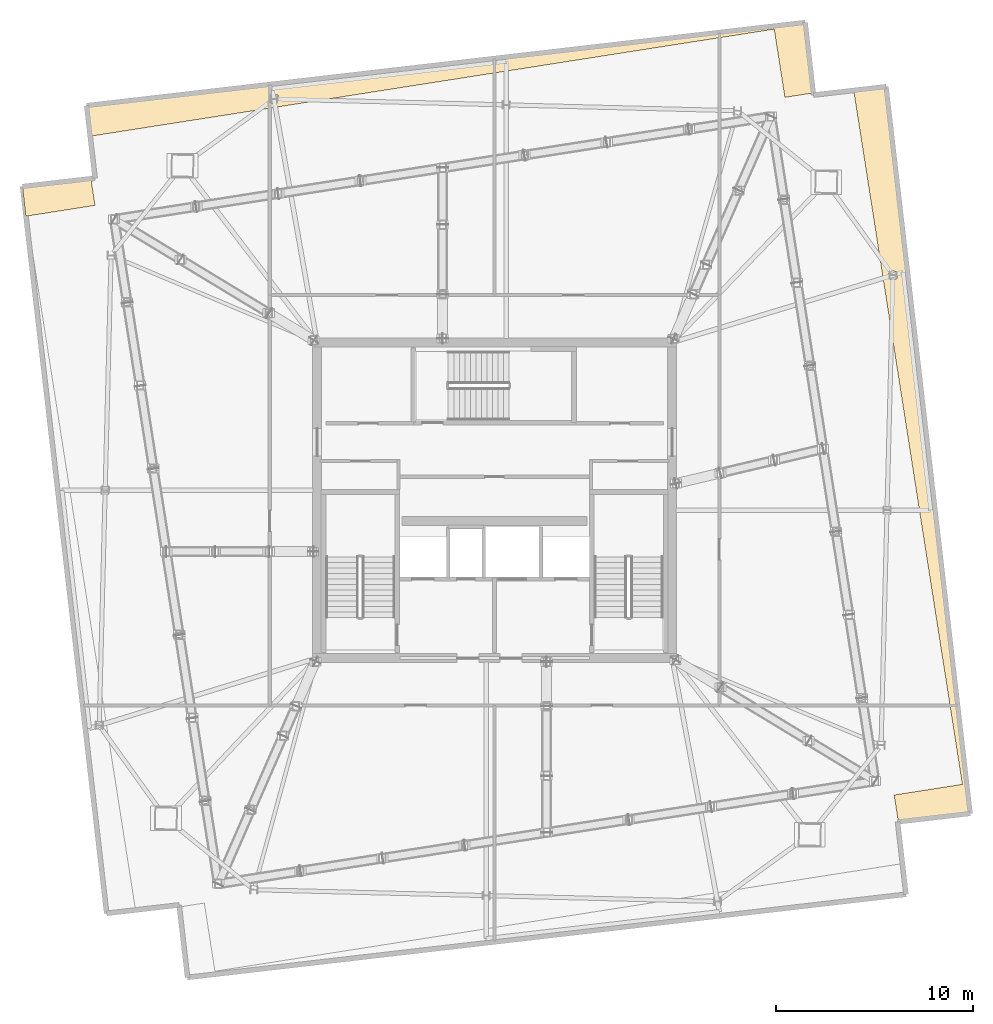
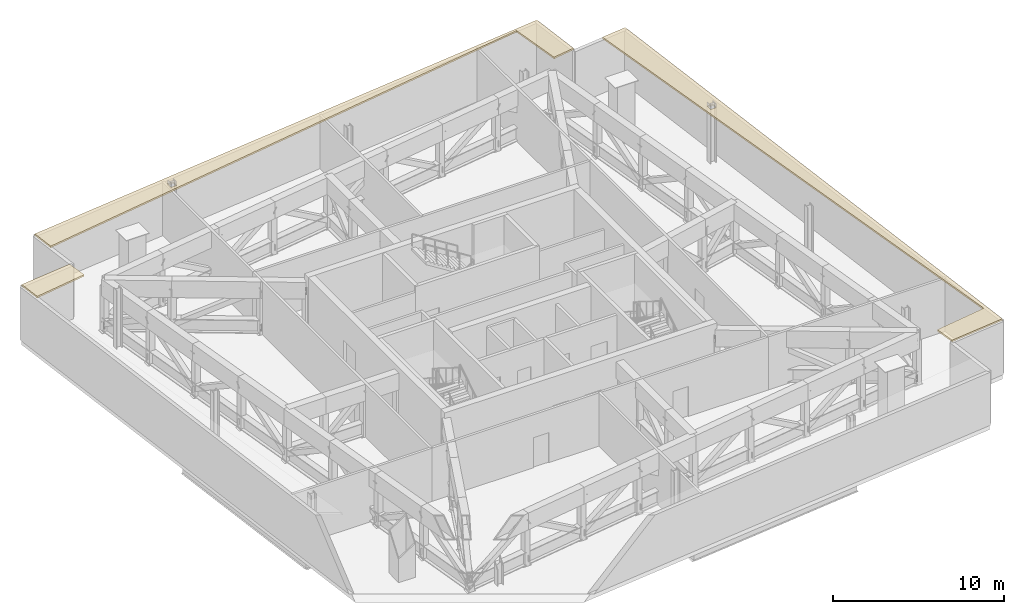
# One storey, part 13 of 13: 3 coverings.
"""IFC4 building model written with IfcOpenShell, lengths in metres."""

from ifc_helpers import new_model, si_unit, direction, frame, origin, place, context, subcontext, project, spatial, polyline, outline, extrude, material, layer, layer_set, type_object, element, save


model = new_model("IFC4")

# Units and contexts
model_context = context("Model", 3, precision=1e-05, world=origin(), true_north=direction((0.0, 1.0)))
body_context = subcontext(model_context, "Body", "Model", "MODEL_VIEW")
ifc_project = project(units=[si_unit("LENGTHUNIT", "METRE"), si_unit("AREAUNIT", "SQUARE_METRE"), si_unit("VOLUMEUNIT", "CUBIC_METRE"), si_unit("PLANEANGLEUNIT", "RADIAN"), si_unit("MASSUNIT", "GRAM", prefix="KILO")], contexts=[model_context])

# Site, building, storey
site_placement = place(None, origin())
site = spatial("IfcSite", under=ifc_project, at=site_placement, CompositionType="ELEMENT")
building_placement = place(site_placement, origin())
building = spatial("IfcBuilding", under=site, at=building_placement, Name="Haldenkirk Collegiate Tower", CompositionType="ELEMENT")
storey_placement = place(building_placement, frame((0.0, 0.0, 352.199951171875)))
storey = spatial("IfcBuildingStorey", under=building, at=storey_placement, Name="L89", CompositionType="ELEMENT", Elevation=352.199951171875)

# Coverings
ifc_material = material(Name="Insulated SBS modified-bitumen roofing assembly", Category="concrete")
ifc_layer = layer(ifc_material, 0.1201171875)
ifc_layer_set = layer_set([ifc_layer], Name="Insulated SBS modified-bitumen roofing assembly")
covering_type = type_object("IfcCoveringType", Name="COV-ROOFING-120", PredefinedType="ROOFING", material=ifc_layer_set)
covering_1_placement = place(storey_placement, frame((0.0, 0.0, 3.800048828125)))
element("IfcCovering", 1, at=covering_1_placement, inside=storey, type_object=covering_type, Name="L89 crown ledge roof membrane 01", PredefinedType="ROOFING", context=body_context, shape_type="SweptSolid", body=[
    extrude(outline(polyline([(12.0634765625, 41.904296875), (12.23779296875, 40.397216796875), (15.743896484375, 40.946044921875), (15.531005859375, 42.305419921875), (12.0634765625, 41.904296875)])), origin(), (0.0, 0.0, 1.0), 0.1201171875),
])
covering_2_placement = place(storey_placement, frame((0.0, 0.0, 3.800048828125)))
element("IfcCovering", 2, at=covering_2_placement, inside=storey, type_object=covering_type, Name="L89 crown ledge roof membrane 03", PredefinedType="ROOFING", context=body_context, shape_type="SweptSolid", body=[
    extrude(outline(polyline([(51.74560546875, 50.22021484375), (15.313720703125, 46.0048828125), (15.49365234375, 44.44970703125), (50.176025390625, 49.880615234375), (50.717529296875, 46.4228515625), (52.15869140625, 46.648681640625), (51.74560546875, 50.22021484375)]), holes=[polyline([(25.0126953125, 46.53466796875), (25.00244140625, 46.134765625), (24.609619140625, 46.14453125), (24.61962890625, 46.54443359375), (25.0126953125, 46.53466796875)])]), origin(), (0.0, 0.0, 1.0), 0.1201171875),
])
covering_3_placement = place(storey_placement, frame((0.0, 0.0, 3.800048828125)))
element("IfcCovering", 3, at=covering_3_placement, inside=storey, type_object=covering_type, Name="L89 crown ledge roof membrane 05", PredefinedType="ROOFING", context=body_context, shape_type="SweptSolid", body=[
    extrude(outline(polyline([(60.110595703125, 10.115966796875), (55.84619140625, 46.969970703125), (54.204345703125, 46.780029296875), (59.714111328125, 11.595458984375), (56.256103515625, 11.053955078125), (56.468994140625, 9.694580078125), (60.110595703125, 10.115966796875)]), holes=[polyline([(56.396728515625, 37.603515625), (56.38671875, 37.20361328125), (55.99365234375, 37.213623046875), (56.00390625, 37.613525390625), (56.396728515625, 37.603515625)])]), origin(), (0.0, 0.0, 1.0), 0.1201171875),
])

save(model, "model.ifc")
